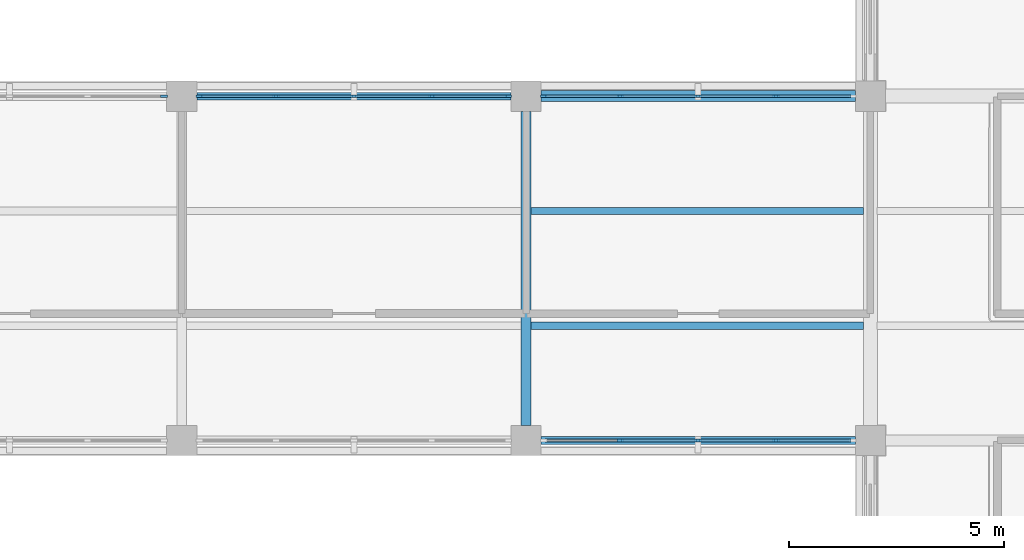
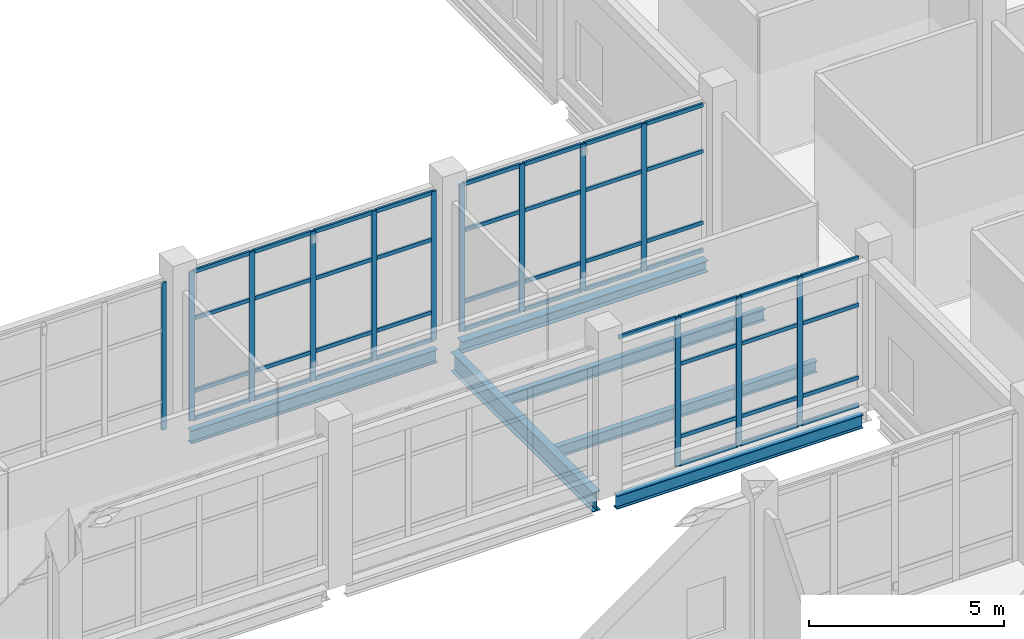
# One storey, part 39 of 105: 58 members, 6 beams, 4 elements without a shape of their own.
"""IFC4 building model written with IfcOpenShell, lengths in metres."""

from ifc_helpers import new_model, si_unit, derived_unit, direction, frame, origin, origin_2d, place, context, subcontext, project, spatial, rectangle, i_section, extrude, material, layer, layer_set, material_profile, profile_set, type_object, element, aggregate, save


model = new_model("IFC4")

# Units and contexts
model_context = context("Model", 3, precision=1e-05, world=origin(), true_north=direction((0.0, 1.0)))
body_context = subcontext(model_context, "Body", "Model", "MODEL_VIEW")
ifc_project = project(units=[si_unit("LENGTHUNIT", "METRE"), si_unit("AREAUNIT", "SQUARE_METRE"), si_unit("VOLUMEUNIT", "CUBIC_METRE"), si_unit("PLANEANGLEUNIT", "RADIAN"), si_unit("MASSUNIT", "GRAM", prefix="KILO"), derived_unit("THERMALTRANSMITTANCEUNIT", [(si_unit("MASSUNIT", "GRAM", prefix="KILO"), 1), (si_unit("TIMEUNIT", "SECOND"), -3), (si_unit("THERMODYNAMICTEMPERATUREUNIT", "KELVIN"), -1)])], contexts=[model_context])

# Site, building, storey
site_placement = place(None, origin())
site = spatial("IfcSite", under=ifc_project, at=site_placement, CompositionType="ELEMENT")
building_placement = place(site_placement, origin())
building = spatial("IfcBuilding", under=site, at=building_placement, Name="Veyamyaing Civic Hall", CompositionType="ELEMENT")
storey_placement = place(building_placement, origin())
storey = spatial("IfcBuildingStorey", under=building, at=storey_placement, Name="L00", CompositionType="ELEMENT", Elevation=0.0)

# Beams
ifc_material_1 = material(Name="Steel ASTM A992", Category="steel")
ifc_material_profile_1 = material_profile(ifc_material_1, i_section(OverallWidth=0.22802734375, OverallDepth=0.60791015625, WebThickness=0.01123046875, FlangeThickness=0.017333984375, FilletRadius=0.012939453125, at=origin_2d()), Name="W610X113")
ifc_profile_set_1 = profile_set([ifc_material_profile_1], Name="Steel ASTM A992")
beam_type_1 = type_object("IfcBeamType", Name="B-06", PredefinedType="BEAM", material=ifc_profile_set_1)
beam_1_placement = place(storey_placement, frame((152.0, 48.35009765625, -0.569091796875), z_axis=(0.0, 1.0, 0.0), x_axis=(-1.0, 0.0, 0.0)))
element("IfcBeam", 1, at=beam_1_placement, inside=storey, type_object=beam_type_1, Name="Girder B-06 L00 Grid 20 G-H", PredefinedType="BEAM", context=body_context, shape_type="SweptSolid", body=[
    extrude(i_section(OverallWidth=0.22802734375, OverallDepth=0.60791015625, WebThickness=0.01123046875, FlangeThickness=0.017333984375, FilletRadius=0.012939453125, at=origin_2d()), origin(), (0.0, 0.0, 1.0), 7.2998046875),
])
ifc_material_profile_2 = material_profile(ifc_material_1, i_section(OverallWidth=0.180908203125, OverallDepth=0.4169921875, WebThickness=0.010986328125, FlangeThickness=0.018310546875, FilletRadius=0.010009765625, at=origin_2d()), Name="W410X85")
ifc_profile_set_2 = profile_set([ifc_material_profile_2], Name="Steel ASTM A992")
beam_type_2 = type_object("IfcBeamType", Name="B-19", PredefinedType="SPANDREL", material=ifc_profile_set_2)
for number, where, z_axis, x_axis, name in (
    (2, (152.35009765625, 48.0, -0.473388671875), (1.0, 0.0, 0.0), (0.0, 1.0, 0.0), "Girder B-19 L00 Grid G 20-21"),
    (3, (144.35009765625, 56.0, -0.473388671875), (1.0, 0.0, 0.0), (0.0, 1.0, 0.0), "Girder B-19 L00 Grid H 19-20"),
):
    element("IfcBeam", number, at=place(storey_placement, frame(where, z_axis=z_axis, x_axis=x_axis)), inside=storey, type_object=beam_type_2, Name=name, PredefinedType="SPANDREL", context=body_context, shape_type="SweptSolid", body=[
        extrude(i_section(OverallWidth=0.180908203125, OverallDepth=0.4169921875, WebThickness=0.010986328125, FlangeThickness=0.018310546875, FilletRadius=0.010009765625, at=origin_2d()), origin(), (0.0, 0.0, 1.0), 7.2998046875),
    ])
ifc_material_profile_3 = material_profile(ifc_material_1, i_section(OverallWidth=0.25390625, OverallDepth=0.35302734375, WebThickness=0.009521484375, FlangeThickness=0.016357421875, FilletRadius=0.011962890625, at=origin_2d()), Name="W360X91")
ifc_profile_set_3 = profile_set([ifc_material_profile_3], Name="Steel ASTM A992")
beam_type_3 = type_object("IfcBeamType", Name="B-20", PredefinedType="SPANDREL", material=ifc_profile_set_3)
beam_2_placement = place(storey_placement, frame((152.35009765625, 56.0, -0.44140625), z_axis=(1.0, 0.0, 0.0), x_axis=(0.0, 1.0, 0.0)))
element("IfcBeam", 4, at=beam_2_placement, inside=storey, type_object=beam_type_3, Name="Girder B-20 L00 Grid H 20-21", PredefinedType="SPANDREL", context=body_context, shape_type="SweptSolid", body=[
    extrude(i_section(OverallWidth=0.25390625, OverallDepth=0.35302734375, WebThickness=0.009521484375, FlangeThickness=0.016357421875, FilletRadius=0.011962890625, at=origin_2d()), origin(), (0.0, 0.0, 1.0), 7.2998046875),
])

# Curtain wall, member
ifc_material_2 = material(Name="Anodised aluminium 6063-T6", Category="aluminium")
ifc_layer = layer(ifc_material_2, 0.159912109375, Name="Anodised aluminium 6063-T6")
ifc_layer_set = layer_set([ifc_layer], Name="Anodised aluminium 6063-T6")
curtain_wall_type = type_object("IfcCurtainWallType", Name="CW-01", PredefinedType="NOTDEFINED", material=ifc_layer_set)
curtain_wall_1_placement = place(storey_placement, origin())
curtain_wall_1 = element("IfcCurtainWall", 5, at=curtain_wall_1_placement, inside=storey, type_object=curtain_wall_type, Name="Unitized curtain wall CW-01 L00 N 18.7", PredefinedType="NOTDEFINED")
ifc_material_profile_4 = material_profile(ifc_material_2, rectangle(XDim=0.06494140625, YDim=0.159912109375, at=origin_2d()), Name="ALU-MUL-65X160")
ifc_profile_set_4 = profile_set([ifc_material_profile_4], Name="Anodised aluminium 6063-T6")
member_type_1 = type_object("IfcMemberType", Name="CWM-01", PredefinedType="MULLION", material=ifc_profile_set_4)
member_1_placement = place(storey_placement, frame((143.58740234375, 56.0, 0.0), z_axis=(0.0, 0.0, 1.0), x_axis=(0.0, 1.0, 0.0)))
member_1 = element("IfcMember", 6, at=member_1_placement, type_object=member_type_1, Name="CW-01 mullion 5", PredefinedType="MULLION", context=body_context, shape_type="SweptSolid", body=[
    extrude(rectangle(XDim=0.06494140625, YDim=0.159912109375, at=origin_2d()), origin(), (0.0, 0.0, 1.0), 4.610107421875),
])
aggregate(curtain_wall_1, [member_1])

# Curtain wall, members
curtain_wall_2_placement = place(storey_placement, origin())
curtain_wall_2 = element("IfcCurtainWall", 7, at=curtain_wall_2_placement, inside=storey, type_object=curtain_wall_type, Name="Unitized curtain wall CW-01 L00 N 19.7", PredefinedType="NOTDEFINED")
member_2_placement = place(storey_placement, frame((144.41259765625, 56.0, 0.0), z_axis=(0.0, 0.0, 1.0), x_axis=(0.0, 1.0, 0.0)))
member_2 = element("IfcMember", 8, at=member_2_placement, type_object=member_type_1, Name="CW-01 mullion 1", PredefinedType="MULLION", context=body_context, shape_type="SweptSolid", body=[
    extrude(rectangle(XDim=0.06494140625, YDim=0.159912109375, at=origin_2d()), origin(), (0.0, 0.0, 1.0), 4.674072265625),
])
member_3_placement = place(storey_placement, frame((146.18994140625, 56.0, 0.0), z_axis=(0.0, 0.0, 1.0), x_axis=(0.0, 1.0, 0.0)))
member_3 = element("IfcMember", 9, at=member_3_placement, type_object=member_type_1, Name="CW-01 mullion 2", PredefinedType="MULLION", context=body_context, shape_type="SweptSolid", body=[
    extrude(rectangle(XDim=0.06494140625, YDim=0.159912109375, at=origin_2d()), origin(), (0.0, 0.0, 1.0), 4.674072265625),
])
member_4_placement = place(storey_placement, frame((148.0, 56.0, 0.0), z_axis=(0.0, 0.0, 1.0), x_axis=(0.0, 1.0, 0.0)))
member_4 = element("IfcMember", 10, at=member_4_placement, type_object=member_type_1, Name="CW-01 mullion 3", PredefinedType="MULLION", context=body_context, shape_type="SweptSolid", body=[
    extrude(rectangle(XDim=0.06494140625, YDim=0.159912109375, at=origin_2d()), origin(), (0.0, 0.0, 1.0), 4.674072265625),
])
member_5_placement = place(storey_placement, frame((149.81005859375, 56.0, 0.0), z_axis=(0.0, 0.0, 1.0), x_axis=(0.0, 1.0, 0.0)))
member_5 = element("IfcMember", 11, at=member_5_placement, type_object=member_type_1, Name="CW-01 mullion 4", PredefinedType="MULLION", context=body_context, shape_type="SweptSolid", body=[
    extrude(rectangle(XDim=0.06494140625, YDim=0.159912109375, at=origin_2d()), origin(), (0.0, 0.0, 1.0), 4.674072265625),
])
member_6_placement = place(storey_placement, frame((151.58740234375, 56.0, 0.0), z_axis=(0.0, 0.0, 1.0), x_axis=(0.0, 1.0, 0.0)))
member_6 = element("IfcMember", 12, at=member_6_placement, type_object=member_type_1, Name="CW-01 mullion 5", PredefinedType="MULLION", context=body_context, shape_type="SweptSolid", body=[
    extrude(rectangle(XDim=0.06494140625, YDim=0.159912109375, at=origin_2d()), origin(), (0.0, 0.0, 1.0), 4.674072265625),
])

curtain_wall_3_placement = place(storey_placement, origin())
curtain_wall_3 = element("IfcCurtainWall", 13, at=curtain_wall_3_placement, inside=storey, type_object=curtain_wall_type, Name="Unitized curtain wall CW-01 L00 S 20.7", PredefinedType="NOTDEFINED")
member_7_placement = place(storey_placement, frame((154.18994140625, 48.0, 0.0), z_axis=(0.0, 0.0, 1.0), x_axis=(0.0, 1.0, 0.0)))
member_7 = element("IfcMember", 14, at=member_7_placement, type_object=member_type_1, Name="CW-01 mullion 2", PredefinedType="MULLION", context=body_context, shape_type="SweptSolid", body=[
    extrude(rectangle(XDim=0.06494140625, YDim=0.159912109375, at=origin_2d()), origin(), (0.0, 0.0, 1.0), 4.674072265625),
])
member_8_placement = place(storey_placement, frame((156.0, 48.0, 0.0), z_axis=(0.0, 0.0, 1.0), x_axis=(0.0, 1.0, 0.0)))
member_8 = element("IfcMember", 15, at=member_8_placement, type_object=member_type_1, Name="CW-01 mullion 3", PredefinedType="MULLION", context=body_context, shape_type="SweptSolid", body=[
    extrude(rectangle(XDim=0.06494140625, YDim=0.159912109375, at=origin_2d()), origin(), (0.0, 0.0, 1.0), 4.674072265625),
])
member_9_placement = place(storey_placement, frame((157.81005859375, 48.0, 0.0), z_axis=(0.0, 0.0, 1.0), x_axis=(0.0, 1.0, 0.0)))
member_9 = element("IfcMember", 16, at=member_9_placement, type_object=member_type_1, Name="CW-01 mullion 4", PredefinedType="MULLION", context=body_context, shape_type="SweptSolid", body=[
    extrude(rectangle(XDim=0.06494140625, YDim=0.159912109375, at=origin_2d()), origin(), (0.0, 0.0, 1.0), 4.674072265625),
])

curtain_wall_4_placement = place(storey_placement, origin())
curtain_wall_4 = element("IfcCurtainWall", 17, at=curtain_wall_4_placement, inside=storey, type_object=curtain_wall_type, Name="Unitized curtain wall CW-01 L00 N 20.7", PredefinedType="NOTDEFINED")
member_10_placement = place(storey_placement, frame((152.41259765625, 56.0, 0.0), z_axis=(0.0, 0.0, 1.0), x_axis=(0.0, 1.0, 0.0)))
member_10 = element("IfcMember", 18, at=member_10_placement, type_object=member_type_1, Name="CW-01 mullion 1", PredefinedType="MULLION", context=body_context, shape_type="SweptSolid", body=[
    extrude(rectangle(XDim=0.06494140625, YDim=0.159912109375, at=origin_2d()), origin(), (0.0, 0.0, 1.0), 4.614013671875),
])
member_11_placement = place(storey_placement, frame((154.18994140625, 56.0, 0.0), z_axis=(0.0, 0.0, 1.0), x_axis=(0.0, 1.0, 0.0)))
member_11 = element("IfcMember", 19, at=member_11_placement, type_object=member_type_1, Name="CW-01 mullion 2", PredefinedType="MULLION", context=body_context, shape_type="SweptSolid", body=[
    extrude(rectangle(XDim=0.06494140625, YDim=0.159912109375, at=origin_2d()), origin(), (0.0, 0.0, 1.0), 4.614013671875),
])
member_12_placement = place(storey_placement, frame((156.0, 56.0, 0.0), z_axis=(0.0, 0.0, 1.0), x_axis=(0.0, 1.0, 0.0)))
member_12 = element("IfcMember", 20, at=member_12_placement, type_object=member_type_1, Name="CW-01 mullion 3", PredefinedType="MULLION", context=body_context, shape_type="SweptSolid", body=[
    extrude(rectangle(XDim=0.06494140625, YDim=0.159912109375, at=origin_2d()), origin(), (0.0, 0.0, 1.0), 4.614013671875),
])
member_13_placement = place(storey_placement, frame((157.81005859375, 56.0, 0.0), z_axis=(0.0, 0.0, 1.0), x_axis=(0.0, 1.0, 0.0)))
member_13 = element("IfcMember", 21, at=member_13_placement, type_object=member_type_1, Name="CW-01 mullion 4", PredefinedType="MULLION", context=body_context, shape_type="SweptSolid", body=[
    extrude(rectangle(XDim=0.06494140625, YDim=0.159912109375, at=origin_2d()), origin(), (0.0, 0.0, 1.0), 4.614013671875),
])

# Member
ifc_material_profile_5 = material_profile(ifc_material_2, rectangle(XDim=0.06494140625, YDim=0.1201171875, at=origin_2d()), Name="ALU-TRN-65X120")
ifc_profile_set_5 = profile_set([ifc_material_profile_5], Name="Anodised aluminium 6063-T6")
member_type_2 = type_object("IfcMemberType", Name="CWT-01", PredefinedType="USERDEFINED", material=ifc_profile_set_5)
member_14_placement = place(storey_placement, frame((144.445068359375, 56.0, 0.032470703125), z_axis=(1.0, 0.0, 0.0), x_axis=(0.0, 1.0, 0.0)))
member_14 = element("IfcMember", 22, at=member_14_placement, type_object=member_type_2, Name="CW-01 transom 1.1", ObjectType="TRANSOM", PredefinedType="USERDEFINED", context=body_context, shape_type="SweptSolid", body=[
    extrude(rectangle(XDim=0.06494140625, YDim=0.1201171875, at=origin_2d()), origin(), (0.0, 0.0, 1.0), 1.71240234375),
])

member_15_placement = place(storey_placement, frame((144.445068359375, 56.0, 0.89990234375), z_axis=(1.0, 0.0, 0.0), x_axis=(0.0, 1.0, 0.0)))
member_15 = element("IfcMember", 23, at=member_15_placement, type_object=member_type_2, Name="CW-01 transom 1.2", ObjectType="TRANSOM", PredefinedType="USERDEFINED", context=body_context, shape_type="SweptSolid", body=[
    extrude(rectangle(XDim=0.06494140625, YDim=0.1201171875, at=origin_2d()), origin(), (0.0, 0.0, 1.0), 1.71240234375),
])

member_16_placement = place(storey_placement, frame((144.445068359375, 56.0, 3.17822265625), z_axis=(1.0, 0.0, 0.0), x_axis=(0.0, 1.0, 0.0)))
member_16 = element("IfcMember", 24, at=member_16_placement, type_object=member_type_2, Name="CW-01 transom 1.3", ObjectType="TRANSOM", PredefinedType="USERDEFINED", context=body_context, shape_type="SweptSolid", body=[
    extrude(rectangle(XDim=0.06494140625, YDim=0.1201171875, at=origin_2d()), origin(), (0.0, 0.0, 1.0), 1.71240234375),
])

member_17_placement = place(storey_placement, frame((144.445068359375, 56.0, 4.6416015625), z_axis=(1.0, 0.0, 0.0), x_axis=(0.0, 1.0, 0.0)))
member_17 = element("IfcMember", 25, at=member_17_placement, type_object=member_type_2, Name="CW-01 transom 1.4", ObjectType="TRANSOM", PredefinedType="USERDEFINED", context=body_context, shape_type="SweptSolid", body=[
    extrude(rectangle(XDim=0.06494140625, YDim=0.1201171875, at=origin_2d()), origin(), (0.0, 0.0, 1.0), 1.71240234375),
])

member_18_placement = place(storey_placement, frame((146.222412109375, 56.0, 0.032470703125), z_axis=(1.0, 0.0, 0.0), x_axis=(0.0, 1.0, 0.0)))
member_18 = element("IfcMember", 26, at=member_18_placement, type_object=member_type_2, Name="CW-01 transom 2.1", ObjectType="TRANSOM", PredefinedType="USERDEFINED", context=body_context, shape_type="SweptSolid", body=[
    extrude(rectangle(XDim=0.06494140625, YDim=0.1201171875, at=origin_2d()), origin(), (0.0, 0.0, 1.0), 1.7451171875),
])

member_19_placement = place(storey_placement, frame((146.222412109375, 56.0, 0.89990234375), z_axis=(1.0, 0.0, 0.0), x_axis=(0.0, 1.0, 0.0)))
member_19 = element("IfcMember", 27, at=member_19_placement, type_object=member_type_2, Name="CW-01 transom 2.2", ObjectType="TRANSOM", PredefinedType="USERDEFINED", context=body_context, shape_type="SweptSolid", body=[
    extrude(rectangle(XDim=0.06494140625, YDim=0.1201171875, at=origin_2d()), origin(), (0.0, 0.0, 1.0), 1.7451171875),
])

member_20_placement = place(storey_placement, frame((146.222412109375, 56.0, 3.17822265625), z_axis=(1.0, 0.0, 0.0), x_axis=(0.0, 1.0, 0.0)))
member_20 = element("IfcMember", 28, at=member_20_placement, type_object=member_type_2, Name="CW-01 transom 2.3", ObjectType="TRANSOM", PredefinedType="USERDEFINED", context=body_context, shape_type="SweptSolid", body=[
    extrude(rectangle(XDim=0.06494140625, YDim=0.1201171875, at=origin_2d()), origin(), (0.0, 0.0, 1.0), 1.7451171875),
])

member_21_placement = place(storey_placement, frame((146.222412109375, 56.0, 4.6416015625), z_axis=(1.0, 0.0, 0.0), x_axis=(0.0, 1.0, 0.0)))
member_21 = element("IfcMember", 29, at=member_21_placement, type_object=member_type_2, Name="CW-01 transom 2.4", ObjectType="TRANSOM", PredefinedType="USERDEFINED", context=body_context, shape_type="SweptSolid", body=[
    extrude(rectangle(XDim=0.06494140625, YDim=0.1201171875, at=origin_2d()), origin(), (0.0, 0.0, 1.0), 1.7451171875),
])

member_22_placement = place(storey_placement, frame((148.032470703125, 56.0, 0.032470703125), z_axis=(1.0, 0.0, 0.0), x_axis=(0.0, 1.0, 0.0)))
member_22 = element("IfcMember", 30, at=member_22_placement, type_object=member_type_2, Name="CW-01 transom 3.1", ObjectType="TRANSOM", PredefinedType="USERDEFINED", context=body_context, shape_type="SweptSolid", body=[
    extrude(rectangle(XDim=0.06494140625, YDim=0.1201171875, at=origin_2d()), origin(), (0.0, 0.0, 1.0), 1.7451171875),
])

member_23_placement = place(storey_placement, frame((148.032470703125, 56.0, 0.89990234375), z_axis=(1.0, 0.0, 0.0), x_axis=(0.0, 1.0, 0.0)))
member_23 = element("IfcMember", 31, at=member_23_placement, type_object=member_type_2, Name="CW-01 transom 3.2", ObjectType="TRANSOM", PredefinedType="USERDEFINED", context=body_context, shape_type="SweptSolid", body=[
    extrude(rectangle(XDim=0.06494140625, YDim=0.1201171875, at=origin_2d()), origin(), (0.0, 0.0, 1.0), 1.7451171875),
])

member_24_placement = place(storey_placement, frame((148.032470703125, 56.0, 3.17822265625), z_axis=(1.0, 0.0, 0.0), x_axis=(0.0, 1.0, 0.0)))
member_24 = element("IfcMember", 32, at=member_24_placement, type_object=member_type_2, Name="CW-01 transom 3.3", ObjectType="TRANSOM", PredefinedType="USERDEFINED", context=body_context, shape_type="SweptSolid", body=[
    extrude(rectangle(XDim=0.06494140625, YDim=0.1201171875, at=origin_2d()), origin(), (0.0, 0.0, 1.0), 1.7451171875),
])

member_25_placement = place(storey_placement, frame((148.032470703125, 56.0, 4.6416015625), z_axis=(1.0, 0.0, 0.0), x_axis=(0.0, 1.0, 0.0)))
member_25 = element("IfcMember", 33, at=member_25_placement, type_object=member_type_2, Name="CW-01 transom 3.4", ObjectType="TRANSOM", PredefinedType="USERDEFINED", context=body_context, shape_type="SweptSolid", body=[
    extrude(rectangle(XDim=0.06494140625, YDim=0.1201171875, at=origin_2d()), origin(), (0.0, 0.0, 1.0), 1.7451171875),
])

member_26_placement = place(storey_placement, frame((149.842529296875, 56.0, 0.032470703125), z_axis=(1.0, 0.0, 0.0), x_axis=(0.0, 1.0, 0.0)))
member_26 = element("IfcMember", 34, at=member_26_placement, type_object=member_type_2, Name="CW-01 transom 4.1", ObjectType="TRANSOM", PredefinedType="USERDEFINED", context=body_context, shape_type="SweptSolid", body=[
    extrude(rectangle(XDim=0.06494140625, YDim=0.1201171875, at=origin_2d()), origin(), (0.0, 0.0, 1.0), 1.71240234375),
])

member_27_placement = place(storey_placement, frame((149.842529296875, 56.0, 0.89990234375), z_axis=(1.0, 0.0, 0.0), x_axis=(0.0, 1.0, 0.0)))
member_27 = element("IfcMember", 35, at=member_27_placement, type_object=member_type_2, Name="CW-01 transom 4.2", ObjectType="TRANSOM", PredefinedType="USERDEFINED", context=body_context, shape_type="SweptSolid", body=[
    extrude(rectangle(XDim=0.06494140625, YDim=0.1201171875, at=origin_2d()), origin(), (0.0, 0.0, 1.0), 1.71240234375),
])

member_28_placement = place(storey_placement, frame((149.842529296875, 56.0, 3.17822265625), z_axis=(1.0, 0.0, 0.0), x_axis=(0.0, 1.0, 0.0)))
member_28 = element("IfcMember", 36, at=member_28_placement, type_object=member_type_2, Name="CW-01 transom 4.3", ObjectType="TRANSOM", PredefinedType="USERDEFINED", context=body_context, shape_type="SweptSolid", body=[
    extrude(rectangle(XDim=0.06494140625, YDim=0.1201171875, at=origin_2d()), origin(), (0.0, 0.0, 1.0), 1.71240234375),
])

member_29_placement = place(storey_placement, frame((149.842529296875, 56.0, 4.6416015625), z_axis=(1.0, 0.0, 0.0), x_axis=(0.0, 1.0, 0.0)))
member_29 = element("IfcMember", 37, at=member_29_placement, type_object=member_type_2, Name="CW-01 transom 4.4", ObjectType="TRANSOM", PredefinedType="USERDEFINED", context=body_context, shape_type="SweptSolid", body=[
    extrude(rectangle(XDim=0.06494140625, YDim=0.1201171875, at=origin_2d()), origin(), (0.0, 0.0, 1.0), 1.71240234375),
])

aggregate(curtain_wall_2, [member_2, member_3, member_4, member_5, member_6, member_14, member_15, member_16, member_17, member_18, member_19, member_20, member_21, member_22, member_23, member_24, member_25, member_26, member_27, member_28, member_29])

member_30_placement = place(storey_placement, frame((152.445068359375, 48.0, 4.6416015625), z_axis=(1.0, 0.0, 0.0), x_axis=(0.0, 1.0, 0.0)))
member_30 = element("IfcMember", 38, at=member_30_placement, type_object=member_type_2, Name="CW-01 transom 1.4", ObjectType="TRANSOM", PredefinedType="USERDEFINED", context=body_context, shape_type="SweptSolid", body=[
    extrude(rectangle(XDim=0.06494140625, YDim=0.1201171875, at=origin_2d()), origin(), (0.0, 0.0, 1.0), 1.71240234375),
])

member_31_placement = place(storey_placement, frame((154.222412109375, 48.0, 0.032470703125), z_axis=(1.0, 0.0, 0.0), x_axis=(0.0, 1.0, 0.0)))
member_31 = element("IfcMember", 39, at=member_31_placement, type_object=member_type_2, Name="CW-01 transom 2.1", ObjectType="TRANSOM", PredefinedType="USERDEFINED", context=body_context, shape_type="SweptSolid", body=[
    extrude(rectangle(XDim=0.06494140625, YDim=0.1201171875, at=origin_2d()), origin(), (0.0, 0.0, 1.0), 1.7451171875),
])

member_32_placement = place(storey_placement, frame((154.222412109375, 48.0, 0.89990234375), z_axis=(1.0, 0.0, 0.0), x_axis=(0.0, 1.0, 0.0)))
member_32 = element("IfcMember", 40, at=member_32_placement, type_object=member_type_2, Name="CW-01 transom 2.2", ObjectType="TRANSOM", PredefinedType="USERDEFINED", context=body_context, shape_type="SweptSolid", body=[
    extrude(rectangle(XDim=0.06494140625, YDim=0.1201171875, at=origin_2d()), origin(), (0.0, 0.0, 1.0), 1.7451171875),
])

member_33_placement = place(storey_placement, frame((154.222412109375, 48.0, 3.17822265625), z_axis=(1.0, 0.0, 0.0), x_axis=(0.0, 1.0, 0.0)))
member_33 = element("IfcMember", 41, at=member_33_placement, type_object=member_type_2, Name="CW-01 transom 2.3", ObjectType="TRANSOM", PredefinedType="USERDEFINED", context=body_context, shape_type="SweptSolid", body=[
    extrude(rectangle(XDim=0.06494140625, YDim=0.1201171875, at=origin_2d()), origin(), (0.0, 0.0, 1.0), 1.7451171875),
])

member_34_placement = place(storey_placement, frame((154.222412109375, 48.0, 4.6416015625), z_axis=(1.0, 0.0, 0.0), x_axis=(0.0, 1.0, 0.0)))
member_34 = element("IfcMember", 42, at=member_34_placement, type_object=member_type_2, Name="CW-01 transom 2.4", ObjectType="TRANSOM", PredefinedType="USERDEFINED", context=body_context, shape_type="SweptSolid", body=[
    extrude(rectangle(XDim=0.06494140625, YDim=0.1201171875, at=origin_2d()), origin(), (0.0, 0.0, 1.0), 1.7451171875),
])

member_35_placement = place(storey_placement, frame((156.032470703125, 48.0, 0.032470703125), z_axis=(1.0, 0.0, 0.0), x_axis=(0.0, 1.0, 0.0)))
member_35 = element("IfcMember", 43, at=member_35_placement, type_object=member_type_2, Name="CW-01 transom 3.1", ObjectType="TRANSOM", PredefinedType="USERDEFINED", context=body_context, shape_type="SweptSolid", body=[
    extrude(rectangle(XDim=0.06494140625, YDim=0.1201171875, at=origin_2d()), origin(), (0.0, 0.0, 1.0), 1.7451171875),
])

member_36_placement = place(storey_placement, frame((156.032470703125, 48.0, 0.89990234375), z_axis=(1.0, 0.0, 0.0), x_axis=(0.0, 1.0, 0.0)))
member_36 = element("IfcMember", 44, at=member_36_placement, type_object=member_type_2, Name="CW-01 transom 3.2", ObjectType="TRANSOM", PredefinedType="USERDEFINED", context=body_context, shape_type="SweptSolid", body=[
    extrude(rectangle(XDim=0.06494140625, YDim=0.1201171875, at=origin_2d()), origin(), (0.0, 0.0, 1.0), 1.7451171875),
])

member_37_placement = place(storey_placement, frame((156.032470703125, 48.0, 3.17822265625), z_axis=(1.0, 0.0, 0.0), x_axis=(0.0, 1.0, 0.0)))
member_37 = element("IfcMember", 45, at=member_37_placement, type_object=member_type_2, Name="CW-01 transom 3.3", ObjectType="TRANSOM", PredefinedType="USERDEFINED", context=body_context, shape_type="SweptSolid", body=[
    extrude(rectangle(XDim=0.06494140625, YDim=0.1201171875, at=origin_2d()), origin(), (0.0, 0.0, 1.0), 1.7451171875),
])

member_38_placement = place(storey_placement, frame((156.032470703125, 48.0, 4.6416015625), z_axis=(1.0, 0.0, 0.0), x_axis=(0.0, 1.0, 0.0)))
member_38 = element("IfcMember", 46, at=member_38_placement, type_object=member_type_2, Name="CW-01 transom 3.4", ObjectType="TRANSOM", PredefinedType="USERDEFINED", context=body_context, shape_type="SweptSolid", body=[
    extrude(rectangle(XDim=0.06494140625, YDim=0.1201171875, at=origin_2d()), origin(), (0.0, 0.0, 1.0), 1.7451171875),
])

member_39_placement = place(storey_placement, frame((157.842529296875, 48.0, 0.032470703125), z_axis=(1.0, 0.0, 0.0), x_axis=(0.0, 1.0, 0.0)))
member_39 = element("IfcMember", 47, at=member_39_placement, type_object=member_type_2, Name="CW-01 transom 4.1", ObjectType="TRANSOM", PredefinedType="USERDEFINED", context=body_context, shape_type="SweptSolid", body=[
    extrude(rectangle(XDim=0.06494140625, YDim=0.1201171875, at=origin_2d()), origin(), (0.0, 0.0, 1.0), 1.71240234375),
])

member_40_placement = place(storey_placement, frame((157.842529296875, 48.0, 0.89990234375), z_axis=(1.0, 0.0, 0.0), x_axis=(0.0, 1.0, 0.0)))
member_40 = element("IfcMember", 48, at=member_40_placement, type_object=member_type_2, Name="CW-01 transom 4.2", ObjectType="TRANSOM", PredefinedType="USERDEFINED", context=body_context, shape_type="SweptSolid", body=[
    extrude(rectangle(XDim=0.06494140625, YDim=0.1201171875, at=origin_2d()), origin(), (0.0, 0.0, 1.0), 1.71240234375),
])

member_41_placement = place(storey_placement, frame((157.842529296875, 48.0, 3.17822265625), z_axis=(1.0, 0.0, 0.0), x_axis=(0.0, 1.0, 0.0)))
member_41 = element("IfcMember", 49, at=member_41_placement, type_object=member_type_2, Name="CW-01 transom 4.3", ObjectType="TRANSOM", PredefinedType="USERDEFINED", context=body_context, shape_type="SweptSolid", body=[
    extrude(rectangle(XDim=0.06494140625, YDim=0.1201171875, at=origin_2d()), origin(), (0.0, 0.0, 1.0), 1.71240234375),
])

member_42_placement = place(storey_placement, frame((157.842529296875, 48.0, 4.6416015625), z_axis=(1.0, 0.0, 0.0), x_axis=(0.0, 1.0, 0.0)))
member_42 = element("IfcMember", 50, at=member_42_placement, type_object=member_type_2, Name="CW-01 transom 4.4", ObjectType="TRANSOM", PredefinedType="USERDEFINED", context=body_context, shape_type="SweptSolid", body=[
    extrude(rectangle(XDim=0.06494140625, YDim=0.1201171875, at=origin_2d()), origin(), (0.0, 0.0, 1.0), 1.71240234375),
])

aggregate(curtain_wall_3, [member_7, member_8, member_9, member_30, member_31, member_32, member_33, member_34, member_35, member_36, member_37, member_38, member_39, member_40, member_41, member_42])

member_43_placement = place(storey_placement, frame((152.445068359375, 56.0, 0.032470703125), z_axis=(1.0, 0.0, 0.0), x_axis=(0.0, 1.0, 0.0)))
member_43 = element("IfcMember", 51, at=member_43_placement, type_object=member_type_2, Name="CW-01 transom 1.1", ObjectType="TRANSOM", PredefinedType="USERDEFINED", context=body_context, shape_type="SweptSolid", body=[
    extrude(rectangle(XDim=0.06494140625, YDim=0.1201171875, at=origin_2d()), origin(), (0.0, 0.0, 1.0), 1.71240234375),
])

member_44_placement = place(storey_placement, frame((152.445068359375, 56.0, 0.89990234375), z_axis=(1.0, 0.0, 0.0), x_axis=(0.0, 1.0, 0.0)))
member_44 = element("IfcMember", 52, at=member_44_placement, type_object=member_type_2, Name="CW-01 transom 1.2", ObjectType="TRANSOM", PredefinedType="USERDEFINED", context=body_context, shape_type="SweptSolid", body=[
    extrude(rectangle(XDim=0.06494140625, YDim=0.1201171875, at=origin_2d()), origin(), (0.0, 0.0, 1.0), 1.71240234375),
])

member_45_placement = place(storey_placement, frame((152.445068359375, 56.0, 3.137451171875), z_axis=(1.0, 0.0, 0.0), x_axis=(0.0, 1.0, 0.0)))
member_45 = element("IfcMember", 53, at=member_45_placement, type_object=member_type_2, Name="CW-01 transom 1.3", ObjectType="TRANSOM", PredefinedType="USERDEFINED", context=body_context, shape_type="SweptSolid", body=[
    extrude(rectangle(XDim=0.06494140625, YDim=0.1201171875, at=origin_2d()), origin(), (0.0, 0.0, 1.0), 1.71240234375),
])

member_46_placement = place(storey_placement, frame((152.445068359375, 56.0, 4.58154296875), z_axis=(1.0, 0.0, 0.0), x_axis=(0.0, 1.0, 0.0)))
member_46 = element("IfcMember", 54, at=member_46_placement, type_object=member_type_2, Name="CW-01 transom 1.4", ObjectType="TRANSOM", PredefinedType="USERDEFINED", context=body_context, shape_type="SweptSolid", body=[
    extrude(rectangle(XDim=0.06494140625, YDim=0.1201171875, at=origin_2d()), origin(), (0.0, 0.0, 1.0), 1.71240234375),
])

member_47_placement = place(storey_placement, frame((154.222412109375, 56.0, 0.032470703125), z_axis=(1.0, 0.0, 0.0), x_axis=(0.0, 1.0, 0.0)))
member_47 = element("IfcMember", 55, at=member_47_placement, type_object=member_type_2, Name="CW-01 transom 2.1", ObjectType="TRANSOM", PredefinedType="USERDEFINED", context=body_context, shape_type="SweptSolid", body=[
    extrude(rectangle(XDim=0.06494140625, YDim=0.1201171875, at=origin_2d()), origin(), (0.0, 0.0, 1.0), 1.7451171875),
])

member_48_placement = place(storey_placement, frame((154.222412109375, 56.0, 0.89990234375), z_axis=(1.0, 0.0, 0.0), x_axis=(0.0, 1.0, 0.0)))
member_48 = element("IfcMember", 56, at=member_48_placement, type_object=member_type_2, Name="CW-01 transom 2.2", ObjectType="TRANSOM", PredefinedType="USERDEFINED", context=body_context, shape_type="SweptSolid", body=[
    extrude(rectangle(XDim=0.06494140625, YDim=0.1201171875, at=origin_2d()), origin(), (0.0, 0.0, 1.0), 1.7451171875),
])

member_49_placement = place(storey_placement, frame((154.222412109375, 56.0, 3.137451171875), z_axis=(1.0, 0.0, 0.0), x_axis=(0.0, 1.0, 0.0)))
member_49 = element("IfcMember", 57, at=member_49_placement, type_object=member_type_2, Name="CW-01 transom 2.3", ObjectType="TRANSOM", PredefinedType="USERDEFINED", context=body_context, shape_type="SweptSolid", body=[
    extrude(rectangle(XDim=0.06494140625, YDim=0.1201171875, at=origin_2d()), origin(), (0.0, 0.0, 1.0), 1.7451171875),
])

member_50_placement = place(storey_placement, frame((154.222412109375, 56.0, 4.58154296875), z_axis=(1.0, 0.0, 0.0), x_axis=(0.0, 1.0, 0.0)))
member_50 = element("IfcMember", 58, at=member_50_placement, type_object=member_type_2, Name="CW-01 transom 2.4", ObjectType="TRANSOM", PredefinedType="USERDEFINED", context=body_context, shape_type="SweptSolid", body=[
    extrude(rectangle(XDim=0.06494140625, YDim=0.1201171875, at=origin_2d()), origin(), (0.0, 0.0, 1.0), 1.7451171875),
])

member_51_placement = place(storey_placement, frame((156.032470703125, 56.0, 0.032470703125), z_axis=(1.0, 0.0, 0.0), x_axis=(0.0, 1.0, 0.0)))
member_51 = element("IfcMember", 59, at=member_51_placement, type_object=member_type_2, Name="CW-01 transom 3.1", ObjectType="TRANSOM", PredefinedType="USERDEFINED", context=body_context, shape_type="SweptSolid", body=[
    extrude(rectangle(XDim=0.06494140625, YDim=0.1201171875, at=origin_2d()), origin(), (0.0, 0.0, 1.0), 1.7451171875),
])

member_52_placement = place(storey_placement, frame((156.032470703125, 56.0, 0.89990234375), z_axis=(1.0, 0.0, 0.0), x_axis=(0.0, 1.0, 0.0)))
member_52 = element("IfcMember", 60, at=member_52_placement, type_object=member_type_2, Name="CW-01 transom 3.2", ObjectType="TRANSOM", PredefinedType="USERDEFINED", context=body_context, shape_type="SweptSolid", body=[
    extrude(rectangle(XDim=0.06494140625, YDim=0.1201171875, at=origin_2d()), origin(), (0.0, 0.0, 1.0), 1.7451171875),
])

member_53_placement = place(storey_placement, frame((156.032470703125, 56.0, 3.137451171875), z_axis=(1.0, 0.0, 0.0), x_axis=(0.0, 1.0, 0.0)))
member_53 = element("IfcMember", 61, at=member_53_placement, type_object=member_type_2, Name="CW-01 transom 3.3", ObjectType="TRANSOM", PredefinedType="USERDEFINED", context=body_context, shape_type="SweptSolid", body=[
    extrude(rectangle(XDim=0.06494140625, YDim=0.1201171875, at=origin_2d()), origin(), (0.0, 0.0, 1.0), 1.7451171875),
])

member_54_placement = place(storey_placement, frame((156.032470703125, 56.0, 4.58154296875), z_axis=(1.0, 0.0, 0.0), x_axis=(0.0, 1.0, 0.0)))
member_54 = element("IfcMember", 62, at=member_54_placement, type_object=member_type_2, Name="CW-01 transom 3.4", ObjectType="TRANSOM", PredefinedType="USERDEFINED", context=body_context, shape_type="SweptSolid", body=[
    extrude(rectangle(XDim=0.06494140625, YDim=0.1201171875, at=origin_2d()), origin(), (0.0, 0.0, 1.0), 1.7451171875),
])

member_55_placement = place(storey_placement, frame((157.842529296875, 56.0, 0.032470703125), z_axis=(1.0, 0.0, 0.0), x_axis=(0.0, 1.0, 0.0)))
member_55 = element("IfcMember", 63, at=member_55_placement, type_object=member_type_2, Name="CW-01 transom 4.1", ObjectType="TRANSOM", PredefinedType="USERDEFINED", context=body_context, shape_type="SweptSolid", body=[
    extrude(rectangle(XDim=0.06494140625, YDim=0.1201171875, at=origin_2d()), origin(), (0.0, 0.0, 1.0), 1.71240234375),
])

member_56_placement = place(storey_placement, frame((157.842529296875, 56.0, 0.89990234375), z_axis=(1.0, 0.0, 0.0), x_axis=(0.0, 1.0, 0.0)))
member_56 = element("IfcMember", 64, at=member_56_placement, type_object=member_type_2, Name="CW-01 transom 4.2", ObjectType="TRANSOM", PredefinedType="USERDEFINED", context=body_context, shape_type="SweptSolid", body=[
    extrude(rectangle(XDim=0.06494140625, YDim=0.1201171875, at=origin_2d()), origin(), (0.0, 0.0, 1.0), 1.71240234375),
])

member_57_placement = place(storey_placement, frame((157.842529296875, 56.0, 3.137451171875), z_axis=(1.0, 0.0, 0.0), x_axis=(0.0, 1.0, 0.0)))
member_57 = element("IfcMember", 65, at=member_57_placement, type_object=member_type_2, Name="CW-01 transom 4.3", ObjectType="TRANSOM", PredefinedType="USERDEFINED", context=body_context, shape_type="SweptSolid", body=[
    extrude(rectangle(XDim=0.06494140625, YDim=0.1201171875, at=origin_2d()), origin(), (0.0, 0.0, 1.0), 1.71240234375),
])

member_58_placement = place(storey_placement, frame((157.842529296875, 56.0, 4.58154296875), z_axis=(1.0, 0.0, 0.0), x_axis=(0.0, 1.0, 0.0)))
member_58 = element("IfcMember", 66, at=member_58_placement, type_object=member_type_2, Name="CW-01 transom 4.4", ObjectType="TRANSOM", PredefinedType="USERDEFINED", context=body_context, shape_type="SweptSolid", body=[
    extrude(rectangle(XDim=0.06494140625, YDim=0.1201171875, at=origin_2d()), origin(), (0.0, 0.0, 1.0), 1.71240234375),
])

aggregate(curtain_wall_4, [member_10, member_11, member_12, member_13, member_43, member_44, member_45, member_46, member_47, member_48, member_49, member_50, member_51, member_52, member_53, member_54, member_55, member_56, member_57, member_58])

# Beams
ifc_material_profile_6 = material_profile(ifc_material_1, i_section(OverallWidth=0.1708984375, OverallDepth=0.35205078125, WebThickness=0.0068359375, FlangeThickness=0.009765625, FilletRadius=0.010009765625, at=origin_2d()), Name="W360X44")
ifc_profile_set_6 = profile_set([ifc_material_profile_6], Name="Steel ASTM A992")
beam_type_4 = type_object("IfcBeamType", Name="J-03", PredefinedType="JOIST", material=ifc_profile_set_6)
for number, where, z_axis, x_axis, name in (
    (67, (152.112060546875, 50.666748046875, -0.44091796875), (1.0, 0.0, 0.0), (0.0, 1.0, 0.0), "Composite floor joist J-03 L00 20.7.1"),
    (68, (152.112060546875, 53.333251953125, -0.44091796875), (1.0, 0.0, 0.0), (0.0, 1.0, 0.0), "Composite floor joist J-03 L00 20.7.2"),
):
    element("IfcBeam", number, at=place(storey_placement, frame(where, z_axis=z_axis, x_axis=x_axis)), inside=storey, type_object=beam_type_4, Name=name, PredefinedType="JOIST", context=body_context, shape_type="SweptSolid", body=[
        extrude(i_section(OverallWidth=0.1708984375, OverallDepth=0.35205078125, WebThickness=0.0068359375, FlangeThickness=0.009765625, FilletRadius=0.010009765625, at=origin_2d()), origin(), (0.0, 0.0, 1.0), 7.7275390625),
    ])

save(model, "model.ifc")
